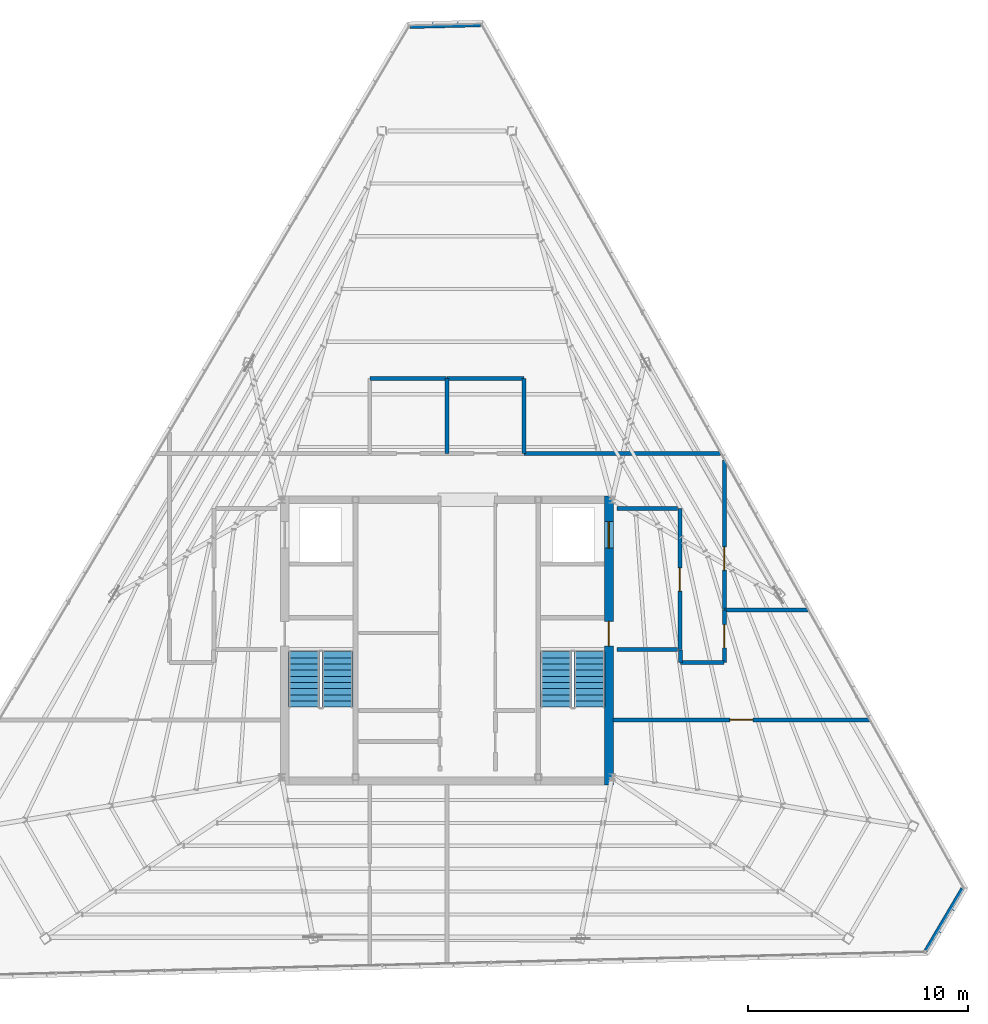
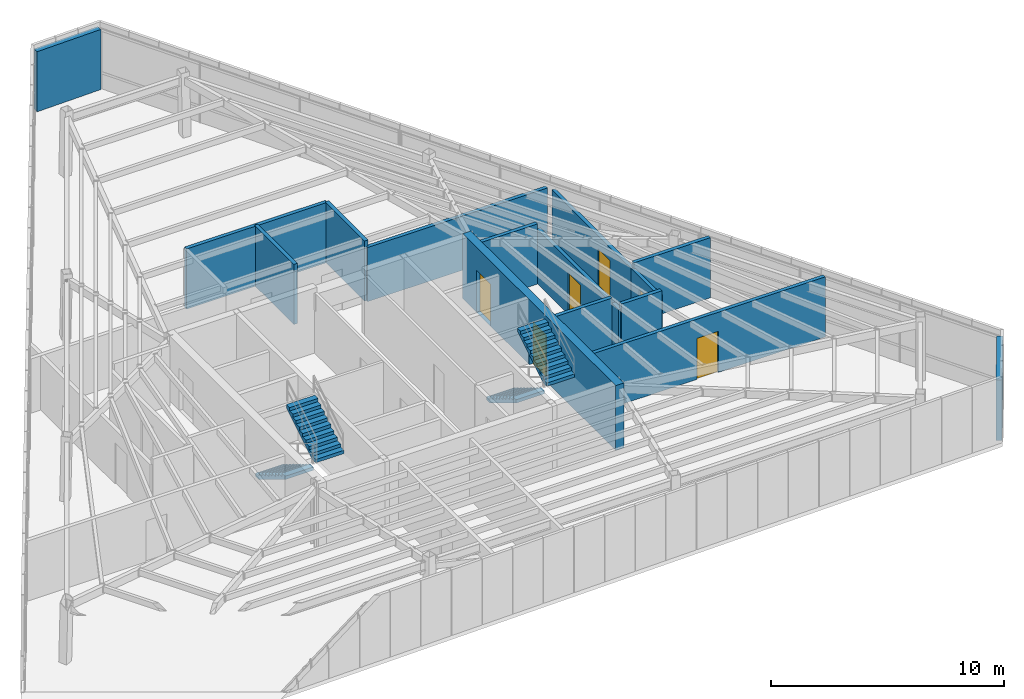
# One storey, part 44 of 47: 17 walls, 6 doors, 4 stair flights, 6 openings, 2 elements without a shape of their own.
"""IFC4 building model written with IfcOpenShell, lengths in metres."""

from ifc_helpers import new_model, si_unit, direction, frame, frame_2d, origin, place, context, subcontext, project, spatial, polyline, rectangle, outline, extrude, material, layer, layer_set, type_object, element, fill, aggregate, save


model = new_model("IFC4")

# Units and contexts
model_context = context("Model", 3, precision=1e-05, world=origin(), true_north=direction((0.0, 1.0)))
body_context = subcontext(model_context, "Body", "Model", "MODEL_VIEW")
ifc_project = project(units=[si_unit("LENGTHUNIT", "METRE"), si_unit("AREAUNIT", "SQUARE_METRE"), si_unit("VOLUMEUNIT", "CUBIC_METRE"), si_unit("PLANEANGLEUNIT", "RADIAN"), si_unit("MASSUNIT", "GRAM", prefix="KILO")], contexts=[model_context])

# Site, building, storey
site_placement = place(None, origin())
site = spatial("IfcSite", under=ifc_project, at=site_placement, CompositionType="ELEMENT")
building_placement = place(site_placement, origin())
building = spatial("IfcBuilding", under=site, at=building_placement, Name="Caelisora Broadcast Tower", CompositionType="ELEMENT")
storey_placement = place(building_placement, frame((0.0, 0.0, 293.199951171875)))
storey = spatial("IfcBuildingStorey", under=building, at=storey_placement, Name="L77", CompositionType="ELEMENT", Elevation=293.199951171875)

# Wall, openings, doors
ifc_material_1 = material(Name="Concrete 40 MPa (AS 3600 N40)", Category="concrete")
ifc_layer_1 = layer(ifc_material_1, 0.39990234375, Name="Concrete 40 MPa (AS 3600 N40)")
ifc_layer_set_1 = layer_set([ifc_layer_1], Name="Concrete 40 MPa (AS 3600 N40)")
wall_type_1 = type_object("IfcWallType", Name="CW3", PredefinedType="SHEAR", material=ifc_layer_set_1)
wall_1_placement = place(storey_placement, frame((45.360107421875, 17.050048828125, 0.0), z_axis=(0.0, 0.0, 1.0), x_axis=(0.0, 1.0, 0.0)))
wall_1 = element("IfcWall", 1, at=wall_1_placement, inside=storey, type_object=wall_type_1, Name="L77 core shear wall CW3", PredefinedType="SHEAR", context=body_context, shape_type="SweptSolid", body=[
    extrude(rectangle(XDim=13.125, YDim=0.39990234375, at=frame_2d((6.5625, 0.0))), origin(), (0.0, 0.0, 1.0), 3.400146484375),
])
opening_1_placement = place(wall_1_placement, frame((6.300048828125, 0.0, 0.0)))
opening_1 = element("IfcOpeningElement", 2, at=opening_1_placement, cuts=wall_1, Name="Opening FD04", PredefinedType="OPENING", context=body_context, shape_type="SweptSolid", body=[
    extrude(rectangle(XDim=1.1201171875, YDim=2.14990234375, at=frame_2d((0.56005859375, 1.074951171875))), frame((0.0, 0.2119140625, 0.0), z_axis=(0.0, -1.0, 0.0), x_axis=(1.0, 0.0, 0.0)), (0.0, 0.0, 1.0), 0.423828125),
])
opening_2_placement = place(wall_1_placement, frame((10.75, 0.0, 0.0)))
opening_2 = element("IfcOpeningElement", 3, at=opening_2_placement, cuts=wall_1, Name="Opening LD04", PredefinedType="OPENING", context=body_context, shape_type="SweptSolid", body=[
    extrude(rectangle(XDim=1.199951171875, YDim=2.199951171875, at=frame_2d((0.60009765625, 1.10009765625))), frame((0.0, 0.2119140625, 0.0), z_axis=(0.0, -1.0, 0.0), x_axis=(1.0, 0.0, 0.0)), (0.0, 0.0, 1.0), 0.423828125),
])
ifc_material_2 = material(Name="Pressurised Fire-Isolated Stair Door", Category="steel")
door_type_1 = type_object("IfcDoorType", Name="FD04", OperationType="NOTDEFINED", PredefinedType="DOOR", material=ifc_material_2)
door_1_placement = place(opening_1_placement, origin())
door_1 = element("IfcDoor", 4, at=door_1_placement, inside=storey, type_object=door_type_1, Name="L77 door FD04 (L77-DR-ST2)", OperationType="SINGLE_SWING_RIGHT", OverallHeight=2.14990234375, OverallWidth=1.1201171875, PredefinedType="DOOR", context=body_context, shape_type="SweptSolid", body=[
    extrude(rectangle(XDim=1.1201171875, YDim=2.14990234375, at=frame_2d((0.56005859375, 1.074951171875))), frame((0.0, 0.02490234375, 0.0), z_axis=(0.0, -1.0, 0.0), x_axis=(1.0, 0.0, 0.0)), (0.0, 0.0, 1.0), 0.050048828125),
])
fill(opening_1, door_1)
ifc_material_3 = material(Name="Emergency Firefighting Lift Sliding Landing Door", Category="steel")
door_type_2 = type_object("IfcDoorType", Name="LD04", OperationType="NOTDEFINED", PredefinedType="DOOR", material=ifc_material_3)
door_2_placement = place(opening_2_placement, origin())
door_2 = element("IfcDoor", 5, at=door_2_placement, inside=storey, type_object=door_type_2, Name="L77 door LD04 (L77-LD-FFL2)", OperationType="SLIDING_TO_RIGHT", OverallHeight=2.199951171875, OverallWidth=1.199951171875, PredefinedType="DOOR", context=body_context, shape_type="SweptSolid", body=[
    extrude(rectangle(XDim=1.199951171875, YDim=2.199951171875, at=frame_2d((0.60009765625, 1.10009765625))), frame((0.0, 0.02490234375, 0.0), z_axis=(0.0, -1.0, 0.0), x_axis=(1.0, 0.0, 0.0)), (0.0, 0.0, 1.0), 0.050048828125),
])
fill(opening_2, door_2)

# Walls
ifc_material_4 = material(Name="Fire-Rated Acoustic Plant Enclosure Wall", Category="masonry")
ifc_layer_2 = layer(ifc_material_4, 0.260009765625, Name="Fire-Rated Acoustic Plant Enclosure Wall")
ifc_layer_set_2 = layer_set([ifc_layer_2], Name="Fire-Rated Acoustic Plant Enclosure Wall")
wall_type_2 = type_object("IfcWallType", Name="EW2", PredefinedType="STANDARD", material=ifc_layer_set_2)
wall_2_placement = place(storey_placement, frame((61.45263671875, 12.322265625, 0.0), z_axis=(0.0, 0.0, 1.0), x_axis=(-0.508764323155, -0.860905838919, 0.0)))
element("IfcWall", 6, at=wall_2_placement, inside=storey, type_object=wall_type_2, Name="L77 exterior envelope wall EW2", PredefinedType="STANDARD", context=body_context, shape_type="SweptSolid", body=[
    extrude(rectangle(XDim=3.2890625, YDim=0.260009765625, at=frame_2d((1.64453125, 0.0))), origin(), (0.0, 0.0, 1.0), 3.150146484375),
])
wall_3_placement = place(storey_placement, frame((36.326904296875, 51.520751953125, 0.0), z_axis=(0.0, 0.0, 1.0), x_axis=(0.999698413164, 0.024557742527, 0.0)))
element("IfcWall", 7, at=wall_3_placement, inside=storey, type_object=wall_type_2, Name="L77 exterior envelope wall EW2", PredefinedType="STANDARD", context=body_context, shape_type="SweptSolid", body=[
    extrude(rectangle(XDim=3.201171875, YDim=0.260009765625, at=frame_2d((1.6005859375, 0.0))), origin(), (0.0, 0.0, 1.0), 3.150146484375),
])

# Wall, opening, door
ifc_material_5 = material(Name="Fire-Rated Gypsum Shaft and Compartment Wall", Category="gypsum")
ifc_layer_3 = layer(ifc_material_5, 0.179931640625, Name="Fire-Rated Gypsum Shaft and Compartment Wall")
ifc_layer_set_3 = layer_set([ifc_layer_3], Name="Fire-Rated Gypsum Shaft and Compartment Wall")
wall_type_3 = type_object("IfcWallType", Name="PW2", PredefinedType="PARTITIONING", material=ifc_layer_set_3)
wall_4_placement = place(storey_placement, frame((48.580078125, 23.199951171875, 0.0), z_axis=(0.0, 0.0, 1.0), x_axis=(0.0, 1.0, 0.0)))
wall_4 = element("IfcWall", 8, at=wall_4_placement, inside=storey, type_object=wall_type_3, Name="L77 fire compartment wall PW2", PredefinedType="PARTITIONING", context=body_context, shape_type="SweptSolid", body=[
    extrude(rectangle(XDim=6.400146484375, YDim=0.179931640625, at=frame_2d((3.2001953125, 0.0))), origin(), (0.0, 0.0, 1.0), 2.8349609375),
])
opening_3_placement = place(wall_4_placement, frame((2.64990234375, 0.0, 0.0)))
opening_3 = element("IfcOpeningElement", 9, at=opening_3_placement, cuts=wall_4, Name="Opening FD02", PredefinedType="OPENING", context=body_context, shape_type="SweptSolid", body=[
    extrude(rectangle(XDim=1.050048828125, YDim=2.14990234375, at=frame_2d((0.52490234375, 1.074951171875))), frame((0.0, 0.10205078125, 0.0), z_axis=(0.0, -1.0, 0.0), x_axis=(1.0, 0.0, 0.0)), (0.0, 0.0, 1.0), 0.203857421875),
])
ifc_material_6 = material(Name="Single-Leaf Steel Fire Lobby Door", Category="steel")
door_type_3 = type_object("IfcDoorType", Name="FD02", OperationType="NOTDEFINED", PredefinedType="DOOR", material=ifc_material_6)
door_3_placement = place(opening_3_placement, origin())
door_3 = element("IfcDoor", 10, at=door_3_placement, inside=storey, type_object=door_type_3, Name="L77 door FD02 (L77-DR-P04D1)", OperationType="SINGLE_SWING_RIGHT", OverallHeight=2.14990234375, OverallWidth=1.050048828125, PredefinedType="DOOR", context=body_context, shape_type="SweptSolid", body=[
    extrude(rectangle(XDim=1.050048828125, YDim=2.14990234375, at=frame_2d((0.52490234375, 1.074951171875))), frame((0.0, 0.02490234375, 0.0), z_axis=(0.0, -1.0, 0.0), x_axis=(1.0, 0.0, 0.0)), (0.0, 0.0, 1.0), 0.050048828125),
])
fill(opening_3, door_3)

# Walls
for number, where, z_axis, x_axis, name in (
    (11, (45.719970703125, 23.199951171875, 0.0), (0.0, 0.0, 1.0), (1.0, 0.0, 0.0), "L77 fire compartment wall PW2"),
    (12, (45.719970703125, 29.60009765625, 0.0), (0.0, 0.0, 1.0), (1.0, 0.0, 0.0), "L77 fire compartment wall PW2"),
):
    element("IfcWall", number, at=place(storey_placement, frame(where, z_axis=z_axis, x_axis=x_axis)), inside=storey, type_object=wall_type_3, Name=name, PredefinedType="PARTITIONING", context=body_context, shape_type="SweptSolid", body=[
        extrude(rectangle(XDim=2.760009765625, YDim=0.179931640625, at=frame_2d((1.3798828125, 0.0))), origin(), (0.0, 0.0, 1.0), 3.150146484375),
    ])

# Wall, opening, door
wall_5_placement = place(storey_placement, frame((45.554931640625, 20.0, 0.0), z_axis=(0.0, 0.0, 1.0), x_axis=(1.0, 0.0, 0.0)))
wall_5 = element("IfcWall", 13, at=wall_5_placement, inside=storey, type_object=wall_type_3, Name="L77 fire compartment wall PW2", PredefinedType="PARTITIONING", context=body_context, shape_type="SweptSolid", body=[
    extrude(rectangle(XDim=11.635009765625, YDim=0.179931640625, at=frame_2d((5.8173828125, 0.0))), origin(), (0.0, 0.0, 1.0), 3.150146484375),
])
opening_4_placement = place(wall_5_placement, frame((5.2919921875, 0.0, 0.0)))
opening_4 = element("IfcOpeningElement", 14, at=opening_4_placement, cuts=wall_5, Name="Opening FD02", PredefinedType="OPENING", context=body_context, shape_type="SweptSolid", body=[
    extrude(rectangle(XDim=1.050048828125, YDim=2.14990234375, at=frame_2d((0.52490234375, 1.074951171875))), frame((0.0, 0.10205078125, 0.0), z_axis=(0.0, -1.0, 0.0), x_axis=(1.0, 0.0, 0.0)), (0.0, 0.0, 1.0), 0.203857421875),
])
door_4_placement = place(opening_4_placement, origin())
door_4 = element("IfcDoor", 15, at=door_4_placement, inside=storey, type_object=door_type_3, Name="L77 door FD02 (L77-DR-P18D1)", OperationType="SINGLE_SWING_RIGHT", OverallHeight=2.14990234375, OverallWidth=1.050048828125, PredefinedType="DOOR", context=body_context, shape_type="SweptSolid", body=[
    extrude(rectangle(XDim=1.050048828125, YDim=2.14990234375, at=frame_2d((0.52490234375, 1.074951171875))), frame((0.0, 0.02490234375, 0.0), z_axis=(0.0, -1.0, 0.0), x_axis=(1.0, 0.0, 0.0)), (0.0, 0.0, 1.0), 0.050048828125),
])
fill(opening_4, door_4)

# Wall
wall_6_placement = place(storey_placement, frame((41.5048828125, 32.10009765625, 0.0), z_axis=(0.0, 0.0, 1.0), x_axis=(1.0, 0.0, 0.0)))
element("IfcWall", 16, at=wall_6_placement, inside=storey, type_object=wall_type_3, Name="L77 fire compartment wall PW2", PredefinedType="PARTITIONING", context=body_context, shape_type="SweptSolid", body=[
    extrude(rectangle(XDim=8.925048828125, YDim=0.179931640625, at=frame_2d((4.46240234375, 0.0))), origin(), (0.0, 0.0, 1.0), 2.8349609375),
])

# Wall, opening, door
wall_7_placement = place(storey_placement, frame((50.60009765625, 25.0048828125, 0.0), z_axis=(0.0, 0.0, 1.0), x_axis=(0.0, 1.0, 0.0)))
wall_7 = element("IfcWall", 17, at=wall_7_placement, inside=storey, type_object=wall_type_3, Name="L77 fire compartment wall PW2", PredefinedType="PARTITIONING", context=body_context, shape_type="SweptSolid", body=[
    extrude(rectangle(XDim=6.795166015625, YDim=0.179931640625, at=frame_2d((3.3974609375, 0.0))), origin(), (0.0, 0.0, 1.0), 2.8349609375),
])
opening_5_placement = place(wall_7_placement, frame((1.800048828125, 0.0, 0.0)))
opening_5 = element("IfcOpeningElement", 18, at=opening_5_placement, cuts=wall_7, Name="Opening FD02", PredefinedType="OPENING", context=body_context, shape_type="SweptSolid", body=[
    extrude(rectangle(XDim=1.050048828125, YDim=2.14990234375, at=frame_2d((0.52490234375, 1.074951171875))), frame((0.0, 0.10205078125, 0.0), z_axis=(0.0, -1.0, 0.0), x_axis=(1.0, 0.0, 0.0)), (0.0, 0.0, 1.0), 0.203857421875),
])
door_5_placement = place(opening_5_placement, origin())
door_5 = element("IfcDoor", 19, at=door_5_placement, inside=storey, type_object=door_type_3, Name="L77 door FD02 (L77-DR-P24D1)", OperationType="SINGLE_SWING_LEFT", OverallHeight=2.14990234375, OverallWidth=1.050048828125, PredefinedType="DOOR", context=body_context, shape_type="SweptSolid", body=[
    extrude(rectangle(XDim=1.050048828125, YDim=2.14990234375, at=frame_2d((0.52490234375, 1.074951171875))), frame((0.0, 0.02490234375, 0.0), z_axis=(0.0, -1.0, 0.0), x_axis=(1.0, 0.0, 0.0)), (0.0, 0.0, 1.0), 0.050048828125),
])
fill(opening_5, door_5)

# Walls
wall_8_placement = place(storey_placement, frame((50.60498046875, 25.0, 0.0), z_axis=(0.0, 0.0, 1.0), x_axis=(1.0, 0.0, 0.0)))
element("IfcWall", 20, at=wall_8_placement, inside=storey, type_object=wall_type_3, Name="L77 fire compartment wall PW2", PredefinedType="PARTITIONING", context=body_context, shape_type="SweptSolid", body=[
    extrude(rectangle(XDim=3.784912109375, YDim=0.179931640625, at=frame_2d((1.892578125, 0.0))), origin(), (0.0, 0.0, 1.0), 3.150146484375),
])
for number, where, z_axis, x_axis, name in (
    (21, (34.5048828125, 35.5, 0.0), (0.0, 0.0, 1.0), (1.0, 0.0, 0.0), "L77 fire compartment wall PW2"),
    (22, (38.0048828125, 35.5, 0.0), (0.0, 0.0, 1.0), (1.0, 0.0, 0.0), "L77 fire compartment wall PW2"),
):
    element("IfcWall", number, at=place(storey_placement, frame(where, z_axis=z_axis, x_axis=x_axis)), inside=storey, type_object=wall_type_3, Name=name, PredefinedType="PARTITIONING", context=body_context, shape_type="SweptSolid", body=[
        extrude(rectangle(XDim=3.490234375, YDim=0.179931640625, at=frame_2d((1.7451171875, 0.0))), origin(), (0.0, 0.0, 1.0), 3.150146484375),
    ])
for number, where, z_axis, x_axis, name in (
    (23, (38.0, 32.10498046875, 0.0), (0.0, 0.0, 1.0), (0.0, 1.0, 0.0), "L77 fire compartment wall PW2"),
    (24, (41.5, 35.4951171875, 0.0), (0.0, 0.0, 1.0), (0.0, -1.0, 0.0), "L77 fire compartment wall PW2"),
):
    element("IfcWall", number, at=place(storey_placement, frame(where, z_axis=z_axis, x_axis=x_axis)), inside=storey, type_object=wall_type_3, Name=name, PredefinedType="PARTITIONING", context=body_context, shape_type="SweptSolid", body=[
        extrude(rectangle(XDim=3.39013671875, YDim=0.179931640625, at=frame_2d((1.695068359375, 0.0))), origin(), (0.0, 0.0, 1.0), 3.150146484375),
    ])

# Wall, opening, door
wall_9_placement = place(storey_placement, frame((50.60009765625, 22.60498046875, 0.0), z_axis=(0.0, 0.0, 1.0), x_axis=(0.0, 1.0, 0.0)))
wall_9 = element("IfcWall", 25, at=wall_9_placement, inside=storey, type_object=wall_type_3, Name="L77 fire compartment wall PW2", PredefinedType="PARTITIONING", context=body_context, shape_type="SweptSolid", body=[
    extrude(rectangle(XDim=2.39013671875, YDim=0.179931640625, at=frame_2d((1.195068359375, 0.0))), origin(), (0.0, 0.0, 1.0), 2.8349609375),
])
opening_6_placement = place(wall_9_placement, frame((0.669921875, 0.0, 0.0)))
opening_6 = element("IfcOpeningElement", 26, at=opening_6_placement, cuts=wall_9, Name="Opening FD02", PredefinedType="OPENING", context=body_context, shape_type="SweptSolid", body=[
    extrude(rectangle(XDim=1.050048828125, YDim=2.14990234375, at=frame_2d((0.52490234375, 1.074951171875))), frame((0.0, 0.10205078125, 0.0), z_axis=(0.0, -1.0, 0.0), x_axis=(1.0, 0.0, 0.0)), (0.0, 0.0, 1.0), 0.203857421875),
])
door_6_placement = place(opening_6_placement, origin())
door_6 = element("IfcDoor", 27, at=door_6_placement, inside=storey, type_object=door_type_3, Name="L77 door FD02 (L77-DR-P35D1)", OperationType="SINGLE_SWING_RIGHT", OverallHeight=2.14990234375, OverallWidth=1.050048828125, PredefinedType="DOOR", context=body_context, shape_type="SweptSolid", body=[
    extrude(rectangle(XDim=1.050048828125, YDim=2.14990234375, at=frame_2d((0.52490234375, 1.074951171875))), frame((0.0, 0.02490234375, 0.0), z_axis=(0.0, -1.0, 0.0), x_axis=(1.0, 0.0, 0.0)), (0.0, 0.0, 1.0), 0.050048828125),
])
fill(opening_6, door_6)

# Walls
wall_10_placement = place(storey_placement, frame((48.60498046875, 22.60009765625, 0.0), z_axis=(0.0, 0.0, 1.0), x_axis=(1.0, 0.0, 0.0)))
element("IfcWall", 28, at=wall_10_placement, inside=storey, type_object=wall_type_3, Name="L77 fire compartment wall PW2", PredefinedType="PARTITIONING", context=body_context, shape_type="SweptSolid", body=[
    extrude(rectangle(XDim=1.989990234375, YDim=0.179931640625, at=frame_2d((0.9951171875, 0.0))), origin(), (0.0, 0.0, 1.0), 3.150146484375),
])
wall_11_placement = place(storey_placement, frame((48.60009765625, 23.175048828125, 0.0), z_axis=(0.0, 0.0, 1.0), x_axis=(0.0, -1.0, 0.0)))
element("IfcWall", 29, at=wall_11_placement, inside=storey, type_object=wall_type_3, Name="L77 fire compartment wall PW2", PredefinedType="PARTITIONING", context=body_context, shape_type="SweptSolid", body=[
    extrude(rectangle(XDim=0.570068359375, YDim=0.179931640625, at=frame_2d((0.28515625, 0.0))), origin(), (0.0, 0.0, 1.0), 2.8349609375),
])

# Stair, stair flights
stair_type_1 = type_object("IfcStairType", Name="ST-1", PredefinedType="HALF_TURN_STAIR", material=ifc_material_1)
stair_1_placement = place(storey_placement, origin())
stair_1 = element("IfcStair", 30, at=stair_1_placement, inside=storey, type_object=stair_type_1, Name="L77 West Fire-Isolated Tower Stair", PredefinedType="HALF_TURN_STAIR")
stair_flight_type = type_object("IfcStairFlightType", Name="STF-4", PredefinedType="STRAIGHT", material=ifc_material_1)
stair_flight_1_placement = place(storey_placement, frame((31.52001953125, 23.10009765625, 0.0), z_axis=(0.0, 0.0, 1.0), x_axis=(0.0, -1.0, 0.0)))
stair_flight_1 = element("IfcStairFlight", 31, at=stair_flight_1_placement, type_object=stair_flight_type, Name="ST-1 flight 1", NumberOfRisers=10, NumberOfTreads=9, PredefinedType="STRAIGHT", RiserHeight=0.17, TreadLength=0.28, context=body_context, shape_type="SweptSolid", body=[
    extrude(outline(polyline([(0.0, 0.0), (0.0, 0.169921875), (0.280029296875, 0.169921875), (0.280029296875, 0.340087890625), (0.56005859375, 0.340087890625), (0.56005859375, 0.510009765625), (0.840087890625, 0.510009765625), (0.840087890625, 0.679931640625), (1.1201171875, 0.679931640625), (1.1201171875, 0.85009765625), (1.39990234375, 0.85009765625), (1.39990234375, 1.02001953125), (1.679931640625, 1.02001953125), (1.679931640625, 1.18994140625), (1.9599609375, 1.18994140625), (1.9599609375, 1.360107421875), (2.239990234375, 1.360107421875), (2.239990234375, 1.530029296875), (2.52001953125, 1.530029296875), (2.52001953125, 1.699951171875), (2.52001953125, 1.354736328125), (0.288818359375, 0.0), (0.0, 0.0)])), frame((0.0, 0.699951171875, 0.0), z_axis=(0.0, -1.0, 0.0), x_axis=(1.0, 0.0, 0.0)), (0.0, 0.0, 1.0), 1.39990234375),
])
stair_flight_2_placement = place(storey_placement, frame((33.0400390625, 20.580078125, 1.699951171875), z_axis=(0.0, 0.0, 1.0), x_axis=(0.0, 1.0, 0.0)))
stair_flight_2 = element("IfcStairFlight", 32, at=stair_flight_2_placement, type_object=stair_flight_type, Name="ST-1 flight 2", NumberOfRisers=10, NumberOfTreads=9, PredefinedType="STRAIGHT", RiserHeight=0.17, TreadLength=0.28, context=body_context, shape_type="SweptSolid", body=[
    extrude(outline(polyline([(0.0, 0.0), (0.0, 0.169921875), (0.280029296875, 0.169921875), (0.280029296875, 0.340087890625), (0.56005859375, 0.340087890625), (0.56005859375, 0.510009765625), (0.840087890625, 0.510009765625), (0.840087890625, 0.679931640625), (1.1201171875, 0.679931640625), (1.1201171875, 0.85009765625), (1.39990234375, 0.85009765625), (1.39990234375, 1.02001953125), (1.679931640625, 1.02001953125), (1.679931640625, 1.18994140625), (1.9599609375, 1.18994140625), (1.9599609375, 1.360107421875), (2.239990234375, 1.360107421875), (2.239990234375, 1.530029296875), (2.52001953125, 1.530029296875), (2.52001953125, 1.699951171875), (2.52001953125, 1.354736328125), (0.288818359375, 0.0), (0.0, 0.0)])), frame((0.0, 0.699951171875, 0.0), z_axis=(0.0, -1.0, 0.0), x_axis=(1.0, 0.0, 0.0)), (0.0, 0.0, 1.0), 1.39990234375),
])
aggregate(stair_1, [stair_flight_1, stair_flight_2])

stair_type_2 = type_object("IfcStairType", Name="ST-2", PredefinedType="HALF_TURN_STAIR", material=ifc_material_1)
stair_2_placement = place(storey_placement, origin())
stair_2 = element("IfcStair", 33, at=stair_2_placement, inside=storey, type_object=stair_type_2, Name="L77 East Fire-Isolated Tower Stair", PredefinedType="HALF_TURN_STAIR")
stair_flight_3_placement = place(storey_placement, frame((42.9599609375, 23.10009765625, 0.0), z_axis=(0.0, 0.0, 1.0), x_axis=(0.0, -1.0, 0.0)))
stair_flight_3 = element("IfcStairFlight", 34, at=stair_flight_3_placement, type_object=stair_flight_type, Name="ST-2 flight 1", NumberOfRisers=10, NumberOfTreads=9, PredefinedType="STRAIGHT", RiserHeight=0.17, TreadLength=0.28, context=body_context, shape_type="SweptSolid", body=[
    extrude(outline(polyline([(0.0, 0.0), (0.0, 0.169921875), (0.280029296875, 0.169921875), (0.280029296875, 0.340087890625), (0.56005859375, 0.340087890625), (0.56005859375, 0.510009765625), (0.840087890625, 0.510009765625), (0.840087890625, 0.679931640625), (1.1201171875, 0.679931640625), (1.1201171875, 0.85009765625), (1.39990234375, 0.85009765625), (1.39990234375, 1.02001953125), (1.679931640625, 1.02001953125), (1.679931640625, 1.18994140625), (1.9599609375, 1.18994140625), (1.9599609375, 1.360107421875), (2.239990234375, 1.360107421875), (2.239990234375, 1.530029296875), (2.52001953125, 1.530029296875), (2.52001953125, 1.699951171875), (2.52001953125, 1.354736328125), (0.288818359375, 0.0), (0.0, 0.0)])), frame((0.0, 0.699951171875, 0.0), z_axis=(0.0, -1.0, 0.0), x_axis=(1.0, 0.0, 0.0)), (0.0, 0.0, 1.0), 1.39990234375),
])
stair_flight_4_placement = place(storey_placement, frame((44.47998046875, 20.580078125, 1.699951171875), z_axis=(0.0, 0.0, 1.0), x_axis=(0.0, 1.0, 0.0)))
stair_flight_4 = element("IfcStairFlight", 35, at=stair_flight_4_placement, type_object=stair_flight_type, Name="ST-2 flight 2", NumberOfRisers=10, NumberOfTreads=9, PredefinedType="STRAIGHT", RiserHeight=0.17, TreadLength=0.28, context=body_context, shape_type="SweptSolid", body=[
    extrude(outline(polyline([(0.0, 0.0), (0.0, 0.169921875), (0.280029296875, 0.169921875), (0.280029296875, 0.340087890625), (0.56005859375, 0.340087890625), (0.56005859375, 0.510009765625), (0.840087890625, 0.510009765625), (0.840087890625, 0.679931640625), (1.1201171875, 0.679931640625), (1.1201171875, 0.85009765625), (1.39990234375, 0.85009765625), (1.39990234375, 1.02001953125), (1.679931640625, 1.02001953125), (1.679931640625, 1.18994140625), (1.9599609375, 1.18994140625), (1.9599609375, 1.360107421875), (2.239990234375, 1.360107421875), (2.239990234375, 1.530029296875), (2.52001953125, 1.530029296875), (2.52001953125, 1.699951171875), (2.52001953125, 1.354736328125), (0.288818359375, 0.0), (0.0, 0.0)])), frame((0.0, 0.699951171875, 0.0), z_axis=(0.0, -1.0, 0.0), x_axis=(1.0, 0.0, 0.0)), (0.0, 0.0, 1.0), 1.39990234375),
])
aggregate(stair_2, [stair_flight_3, stair_flight_4])

save(model, "model.ifc")
